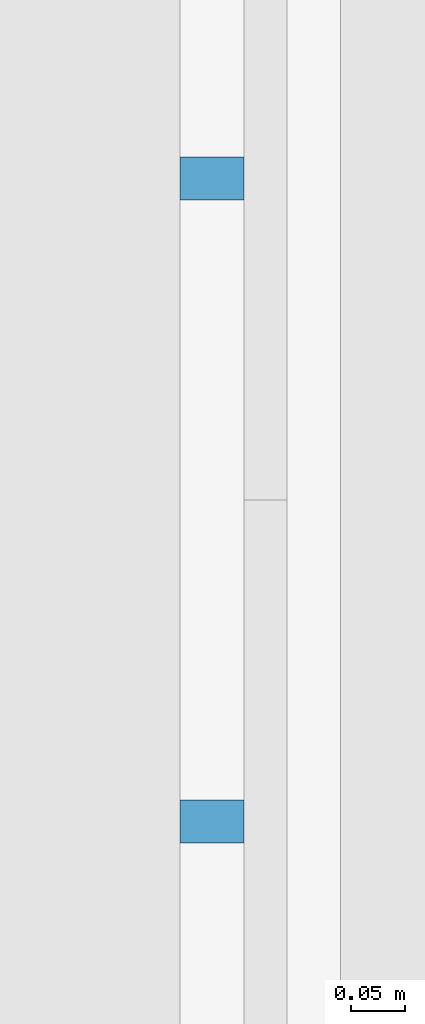
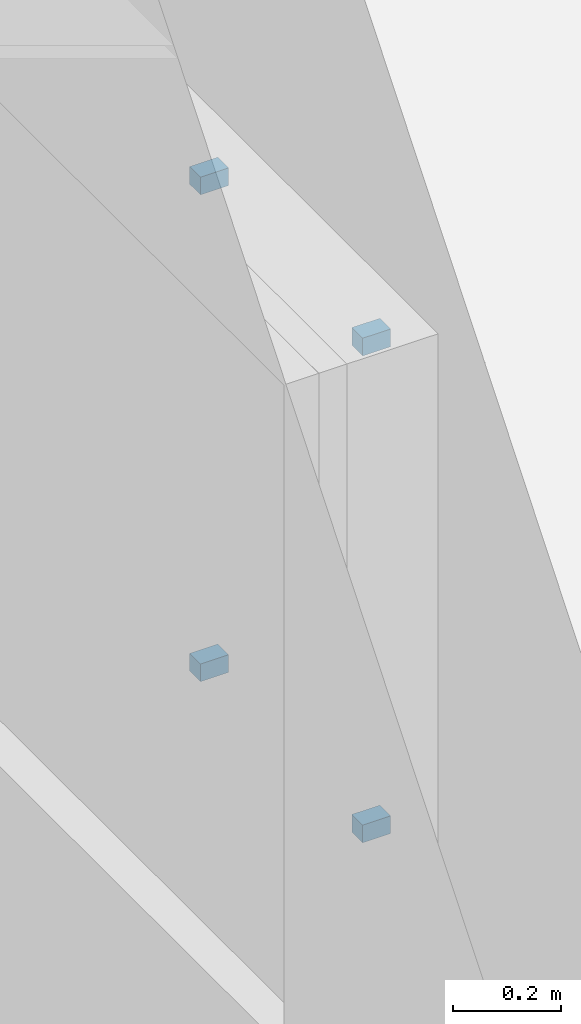
# One storey, part 53 of 84: 4 discrete accessories.
"""IFC4 building model written with IfcOpenShell, lengths in metres."""

from ifc_helpers import new_model, si_unit, direction, frame, origin, origin_2d, place, context, subcontext, project, spatial, rectangle, extrude, material, type_object, element, save


model = new_model("IFC4")

# Units and contexts
model_context = context("Model", 3, precision=1e-05, world=origin(), true_north=direction((0.0, 1.0)))
body_context = subcontext(model_context, "Body", "Model", "MODEL_VIEW")
ifc_project = project(units=[si_unit("LENGTHUNIT", "METRE"), si_unit("AREAUNIT", "SQUARE_METRE"), si_unit("VOLUMEUNIT", "CUBIC_METRE"), si_unit("PLANEANGLEUNIT", "RADIAN"), si_unit("MASSUNIT", "GRAM", prefix="KILO")], contexts=[model_context])

# Site, building, storey
site_placement = place(None, origin())
site = spatial("IfcSite", under=ifc_project, at=site_placement, CompositionType="ELEMENT")
building_placement = place(site_placement, origin())
building = spatial("IfcBuilding", under=site, at=building_placement, Name="Mazhai Court Health Centre", CompositionType="ELEMENT")
storey_placement = place(building_placement, origin())
storey = spatial("IfcBuildingStorey", under=building, at=storey_placement, Name="L00", CompositionType="ELEMENT", Elevation=0.0)

# Discrete accessories
ifc_material = material(Name="Steel IS 2062 E250", Category="steel")
discrete_accessory_type = type_object("IfcDiscreteAccessoryType", Name="BRACKET 40", PredefinedType="BRACKET", material=ifc_material)
for number, where, z_axis, x_axis, name in (
    (1, (35.195068359375, 32.89990234375, 1.080078125), (0.0, 0.0, 1.0), (0.0, 1.0, 0.0), "BR-V5-L00-B31a0"),
    (2, (35.195068359375, 32.89990234375, 2.179931640625), (0.0, 0.0, 1.0), (0.0, 1.0, 0.0), "BR-V5-L00-B31a1"),
    (3, (35.195068359375, 33.5, 1.080078125), (0.0, 0.0, 1.0), (0.0, 1.0, 0.0), "BR-V5-L00-B31b0"),
    (4, (35.195068359375, 33.5, 2.179931640625), (0.0, 0.0, 1.0), (0.0, 1.0, 0.0), "BR-V5-L00-B31b1"),
):
    element("IfcDiscreteAccessory", number, at=place(storey_placement, frame(where, z_axis=z_axis, x_axis=x_axis)), inside=storey, type_object=discrete_accessory_type, Name=name, PredefinedType="BRACKET", context=body_context, shape_type="SweptSolid", body=[
        extrude(rectangle(XDim=0.0400390625, YDim=0.06005859375, at=origin_2d()), origin(), (0.0, 0.0, 1.0), 0.0400390625),
    ])

save(model, "model.ifc")
